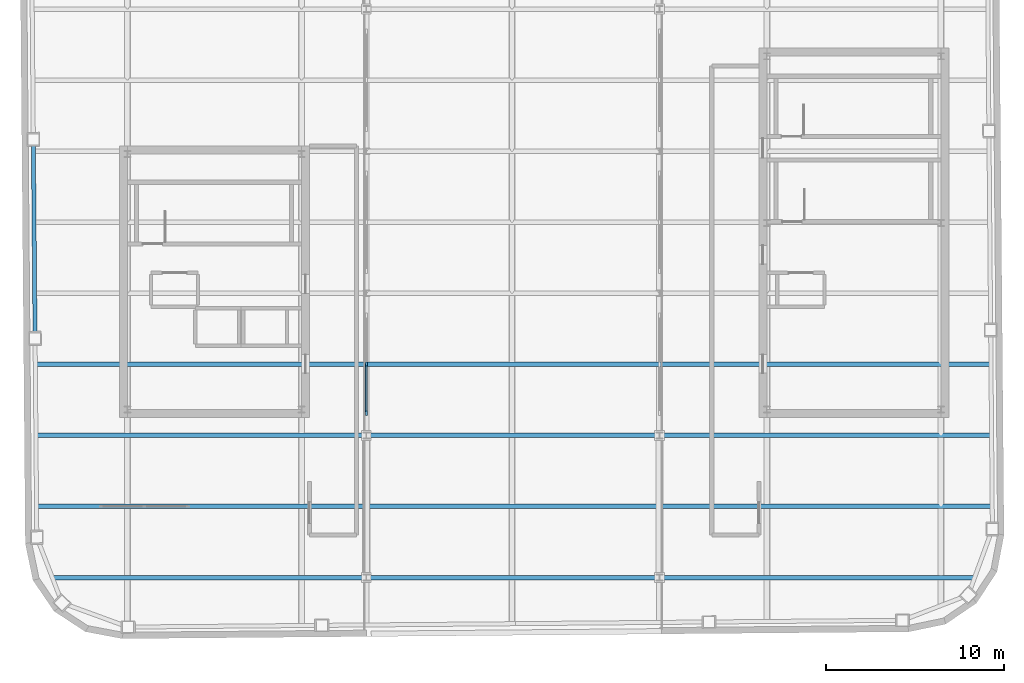
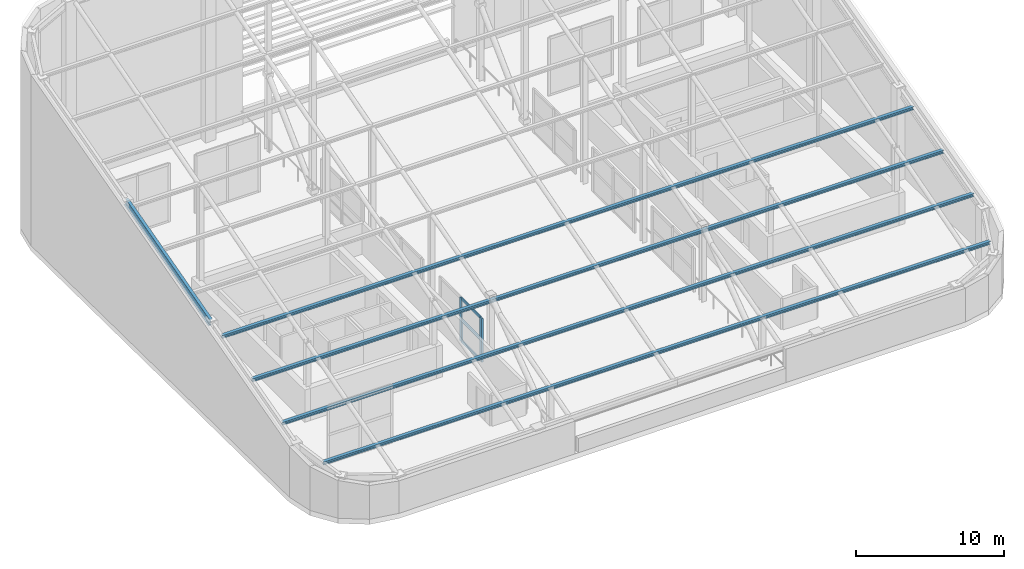
# One storey, part 6 of 17: 9 members, 1 beam, 1 element without a shape of its own.
"""IFC4 building model written with IfcOpenShell, lengths in metres."""

from ifc_helpers import new_model, si_unit, direction, frame, origin, origin_2d, place, context, subcontext, project, spatial, rectangle, i_section, extrude, material, material_profile, profile_set, type_object, element, aggregate, save


model = new_model("IFC4")

# Units and contexts
model_context = context("Model", 3, precision=1e-05, world=origin(), true_north=direction((0.0, 1.0)))
body_context = subcontext(model_context, "Body", "Model", "MODEL_VIEW")
ifc_project = project(units=[si_unit("LENGTHUNIT", "METRE"), si_unit("AREAUNIT", "SQUARE_METRE"), si_unit("VOLUMEUNIT", "CUBIC_METRE"), si_unit("PLANEANGLEUNIT", "RADIAN"), si_unit("MASSUNIT", "GRAM", prefix="KILO")], contexts=[model_context])

# Site, building, storey
site_placement = place(None, origin())
site = spatial("IfcSite", under=ifc_project, at=site_placement, CompositionType="ELEMENT")
building_placement = place(site_placement, origin())
building = spatial("IfcBuilding", under=site, at=building_placement, Name="Kolvaren Arena Tower", CompositionType="ELEMENT")
storey_placement = place(building_placement, frame((0.0, 0.0, 322.0)))
storey = spatial("IfcBuildingStorey", under=building, at=storey_placement, Name="Roof Crown", CompositionType="ELEMENT", Elevation=322.0)

# Curtain wall, members
ifc_material_1 = material(Name="Anodised aluminium unitised curtain wall", Category="aluminium")
curtain_wall_type = type_object("IfcCurtainWallType", Name="CW-SYS-04", PredefinedType="USERDEFINED", material=ifc_material_1)
curtain_wall_placement = place(storey_placement, origin())
curtain_wall = element("IfcCurtainWall", 1, at=curtain_wall_placement, inside=storey, type_object=curtain_wall_type, Name="Wind-Portal Throat Acoustic Curtain Screen (Roof Crown)", ObjectType="ACOUSTIC LOUVRE SCREEN", PredefinedType="USERDEFINED")
ifc_material_2 = material(Name="Anodised aluminium 6063-T6", Category="aluminium")
ifc_material_profile_1 = material_profile(ifc_material_2, rectangle(XDim=0.1201171875, YDim=0.280029296875, at=origin_2d()), Name="ALU-120x280")
ifc_profile_set_1 = profile_set([ifc_material_profile_1], Name="Anodised aluminium 6063-T6")
member_type_1 = type_object("IfcMemberType", Name="CWM-PORT", PredefinedType="MULLION", material=ifc_profile_set_1)
member_1_placement = place(storey_placement, frame((28.0, 19.260009765625, 0.0), z_axis=(0.0, 0.0, 1.0), x_axis=(-1.0, 0.0, 0.0)))
member_1 = element("IfcMember", 2, at=member_1_placement, type_object=member_type_1, Name="CW4 mullion 1", PredefinedType="MULLION", context=body_context, shape_type="SweptSolid", body=[
    extrude(rectangle(XDim=0.1201171875, YDim=0.280029296875, at=origin_2d()), origin(), (0.0, 0.0, 1.0), 3.60009765625),
])
member_2_placement = place(storey_placement, frame((28.0, 22.0, 0.0), z_axis=(0.0, 0.0, 1.0), x_axis=(-1.0, 0.0, 0.0)))
member_2 = element("IfcMember", 3, at=member_2_placement, type_object=member_type_1, Name="CW4 mullion 2", PredefinedType="MULLION", context=body_context, shape_type="SweptSolid", body=[
    extrude(rectangle(XDim=0.1201171875, YDim=0.280029296875, at=origin_2d()), origin(), (0.0, 0.0, 1.0), 3.60009765625),
])
ifc_material_profile_2 = material_profile(ifc_material_2, rectangle(XDim=0.10009765625, YDim=0.199951171875, at=origin_2d()), Name="ALU-100x200")
ifc_profile_set_2 = profile_set([ifc_material_profile_2], Name="Anodised aluminium 6063-T6")
member_type_2 = type_object("IfcMemberType", Name="CWT-HVY", PredefinedType="USERDEFINED", material=ifc_profile_set_2)
member_3_placement = place(storey_placement, frame((28.0, 19.320068359375, 0.050048828125), z_axis=(0.0, 1.0, 0.0), x_axis=(-1.0, 0.0, 0.0)))
member_3 = element("IfcMember", 4, at=member_3_placement, type_object=member_type_2, Name="CW4 transom 1.1", ObjectType="TRANSOM", PredefinedType="USERDEFINED", context=body_context, shape_type="SweptSolid", body=[
    extrude(rectangle(XDim=0.10009765625, YDim=0.199951171875, at=origin_2d()), origin(), (0.0, 0.0, 1.0), 2.619873046875),
])
member_4_placement = place(storey_placement, frame((28.0, 19.320068359375, 1.800048828125), z_axis=(0.0, 1.0, 0.0), x_axis=(-1.0, 0.0, 0.0)))
member_4 = element("IfcMember", 5, at=member_4_placement, type_object=member_type_2, Name="CW4 transom 1.2", ObjectType="TRANSOM", PredefinedType="USERDEFINED", context=body_context, shape_type="SweptSolid", body=[
    extrude(rectangle(XDim=0.10009765625, YDim=0.199951171875, at=origin_2d()), origin(), (0.0, 0.0, 1.0), 2.619873046875),
])
member_5_placement = place(storey_placement, frame((28.0, 19.320068359375, 3.550048828125), z_axis=(0.0, 1.0, 0.0), x_axis=(-1.0, 0.0, 0.0)))
member_5 = element("IfcMember", 6, at=member_5_placement, type_object=member_type_2, Name="CW4 transom 1.3", ObjectType="TRANSOM", PredefinedType="USERDEFINED", context=body_context, shape_type="SweptSolid", body=[
    extrude(rectangle(XDim=0.10009765625, YDim=0.199951171875, at=origin_2d()), origin(), (0.0, 0.0, 1.0), 2.619873046875),
])
aggregate(curtain_wall, [member_1, member_2, member_3, member_4, member_5])

# Beam
ifc_material_3 = material(Name="Steel CSA G40.21 350W", Category="steel")
ifc_material_profile_3 = material_profile(ifc_material_3, i_section(OverallWidth=0.22802734375, OverallDepth=0.615966796875, WebThickness=0.013916015625, FlangeThickness=0.02490234375, FilletRadius=0.014892578125, at=origin_2d()), Name="W610x174")
ifc_profile_set_3 = profile_set([ifc_material_profile_3], Name="Steel CSA G40.21 350W")
beam_type = type_object("IfcBeamType", Name="GIRD-T3", PredefinedType="BEAM", material=ifc_profile_set_3)
beam_placement = place(storey_placement, frame((9.252197265625, 34.6650390625, 10.3916015625), z_axis=(0.008378242556, -0.960837801934, -0.276984698903), x_axis=(0.999961985355, 0.008719394723, 0.0)))
element("IfcBeam", 7, at=beam_placement, inside=storey, type_object=beam_type, Name="Sloped Crown Roof Perimeter Ring Beam 19", PredefinedType="BEAM", context=body_context, shape_type="SweptSolid", body=[
    extrude(i_section(OverallWidth=0.22802734375, OverallDepth=0.615966796875, WebThickness=0.013916015625, FlangeThickness=0.02490234375, FilletRadius=0.014892578125, at=origin_2d()), origin(), (0.0, 0.0, 1.0), 11.656005859375),
])

# Members
ifc_material_profile_4 = material_profile(ifc_material_3, i_section(OverallWidth=0.25390625, OverallDepth=0.2529296875, WebThickness=0.008544921875, FlangeThickness=0.01416015625, FilletRadius=0.010009765625, at=origin_2d()), Name="W250x73")
ifc_profile_set_4 = profile_set([ifc_material_profile_4], Name="Steel CSA G40.21 350W")
member_type_3 = type_object("IfcMemberType", Name="PURLIN-CR1", PredefinedType="PURLIN", material=ifc_profile_set_4)
member_6_placement = place(storey_placement, frame((10.3203125, 10.0, 3.456787109375), z_axis=(1.0, 0.0, 0.0), x_axis=(0.0, 1.0, 0.0)))
element("IfcMember", 8, at=member_6_placement, inside=storey, type_object=member_type_3, Name="Sloped Crown Roof Purlin 01", PredefinedType="PURLIN", context=body_context, shape_type="SweptSolid", body=[
    extrude(i_section(OverallWidth=0.25390625, OverallDepth=0.2529296875, WebThickness=0.008544921875, FlangeThickness=0.01416015625, FilletRadius=0.010009765625, at=origin_2d()), origin(), (0.0, 0.0, 1.0), 51.92626953125),
])
for number, where, z_axis, x_axis, name in (
    (9, (9.4326171875, 14.0, 4.60986328125), (1.0, 0.0, 0.0), (0.0, 1.0, 0.0), "Sloped Crown Roof Purlin 02"),
    (10, (9.397705078125, 18.0, 5.7626953125), (1.0, 0.0, 0.0), (0.0, 1.0, 0.0), "Sloped Crown Roof Purlin 03"),
    (11, (9.36279296875, 22.0, 6.915771484375), (1.0, 0.0, 0.0), (0.0, 1.0, 0.0), "Sloped Crown Roof Purlin 04"),
):
    element("IfcMember", number, at=place(storey_placement, frame(where, z_axis=z_axis, x_axis=x_axis)), inside=storey, type_object=member_type_3, Name=name, PredefinedType="PURLIN", context=body_context, shape_type="SweptSolid", body=[
        extrude(i_section(OverallWidth=0.25390625, OverallDepth=0.2529296875, WebThickness=0.008544921875, FlangeThickness=0.01416015625, FilletRadius=0.010009765625, at=origin_2d()), origin(), (0.0, 0.0, 1.0), 53.802001953125),
    ])

save(model, "model.ifc")
